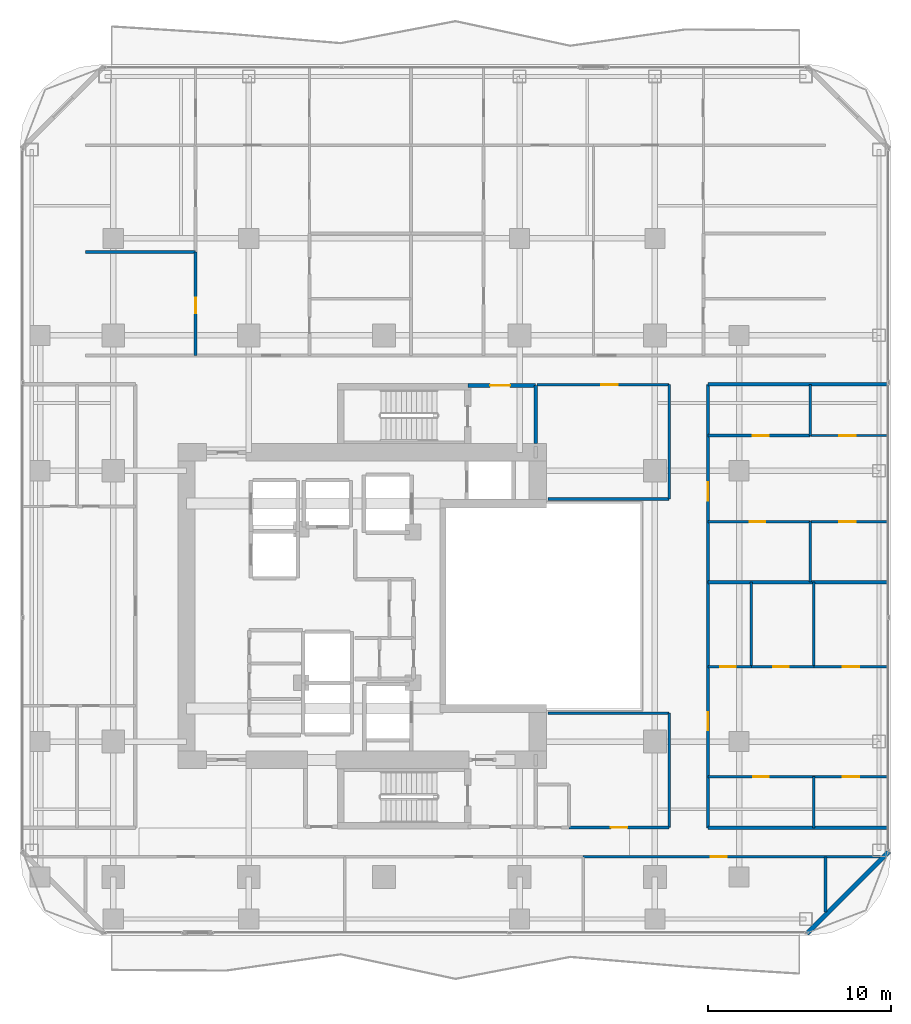
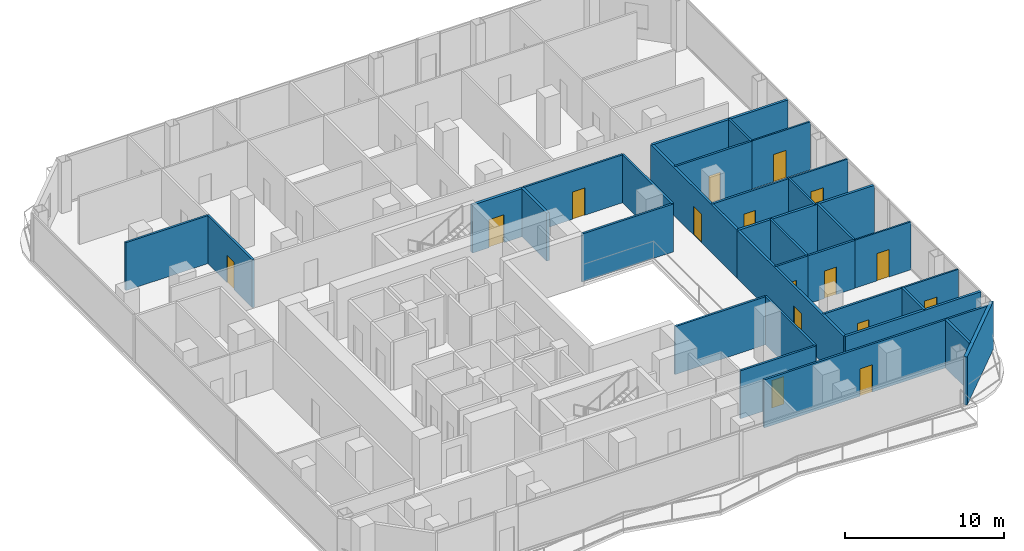
# One storey, part 22 of 27: 32 walls, 16 doors, 16 openings.
"""IFC4 building model written with IfcOpenShell, lengths in metres."""

import ifcopenshell
import ifcopenshell.guid

model = None  # the IFC model being written
_history = None  # IfcOwnerHistory: only IFC2X3 demands one
_inside = {}  # id of a spatial element -> (the spatial element, [elements in it])
_under = {}  # id of a project, library or spatial element -> (it, [spatial elements below it])
_declared = {}  # id of a project -> (the project, [libraries it declares])
_typed = {}  # id of a type object -> (the type object, [elements of that type])
_made_of = {}  # id of a material, layer set ... -> (it, [elements and type objects made of it])


def new_model(schema):
    """Start an empty IFC model of exactly this schema.

    Asked for "IFC4X3", IfcOpenShell would pick the latest addendum, in which some entities
    have other attributes; the version numbers below select the first issue.
    IFC2X3 requires an IfcOwnerHistory on every rooted entity: one is made here for all.
    """
    global model, _history
    if schema == "IFC4X3":
        model = ifcopenshell.file(schema_version=(4, 3, 0, 0))
    else:
        model = ifcopenshell.file(schema=schema)
    _inside.clear()
    _under.clear()
    _declared.clear()
    _typed.clear()
    _made_of.clear()
    _history = None
    if model.schema == "IFC2X3":
        org = make("IfcOrganization", Name="unknown")
        user = make(
            "IfcPersonAndOrganization",
            ThePerson=make("IfcPerson", FamilyName="unknown"),
            TheOrganization=org,
        )
        app = make(
            "IfcApplication",
            ApplicationDeveloper=org,
            Version="unknown",
            ApplicationFullName="unknown",
            ApplicationIdentifier="unknown",
        )
        _history = make(
            "IfcOwnerHistory",
            OwningUser=user,
            OwningApplication=app,
            ChangeAction="ADDED",
            CreationDate=0,
        )
    return model


def make(cls, **values):
    """One entity of the class cls with the attributes given. An attribute that is None is left unset."""
    return model.create_entity(
        cls, **{name: value for name, value in values.items() if value is not None}
    )


def rooted(cls, **values):
    """An entity with a GlobalId (a new one), such as an element, a storey or a relation."""
    return make(cls, GlobalId=ifcopenshell.guid.new(), OwnerHistory=_history, **values)


def si_unit(unit_type, name, prefix=None):
    """IfcSIUnit, for example si_unit("LENGTHUNIT", "METRE", prefix="MILLI")."""
    return make("IfcSIUnit", UnitType=unit_type, Prefix=prefix, Name=name)


def assignment(units):
    """IfcUnitAssignment: the units of a project."""
    return None if units is None else make("IfcUnitAssignment", Units=units)


def point(xyz):
    """IfcCartesianPoint."""
    return None if xyz is None else make("IfcCartesianPoint", Coordinates=xyz)


def direction(xyz):
    """IfcDirection."""
    return None if xyz is None else make("IfcDirection", DirectionRatios=xyz)


def frame(location, z_axis=None, x_axis=None):
    """IfcAxis2Placement3D, a coordinate frame: its origin and axes. An axis left out is left unset."""
    return make(
        "IfcAxis2Placement3D",
        Location=point(location),
        Axis=direction(z_axis),
        RefDirection=direction(x_axis),
    )


def frame_2d(location, x_axis=None):
    """IfcAxis2Placement2D, a coordinate frame in the plane: its origin and x axis."""
    return make(
        "IfcAxis2Placement2D", Location=point(location), RefDirection=direction(x_axis)
    )


def origin():
    """The frame at (0, 0, 0) with its axes left unset."""
    return frame((0.0, 0.0, 0.0))


def place(relative_to, where):
    """IfcLocalPlacement: puts the frame where relative to a parent placement (None: the world)."""
    return make(
        "IfcLocalPlacement", PlacementRelTo=relative_to, RelativePlacement=where
    )


def context(
    kind, dimensions, precision=None, world=None, true_north=None, identifier=None
):
    """IfcGeometricRepresentationContext, for example the 3D "Model" context."""
    return make(
        "IfcGeometricRepresentationContext",
        ContextIdentifier=identifier,
        ContextType=kind,
        CoordinateSpaceDimension=dimensions,
        Precision=precision,
        WorldCoordinateSystem=world,
        TrueNorth=true_north,
    )


def subcontext(parent, identifier, kind, view, scale=None):
    """IfcGeometricRepresentationSubContext, for example "Body" below "Model"."""
    return make(
        "IfcGeometricRepresentationSubContext",
        ContextIdentifier=identifier,
        ContextType=kind,
        ParentContext=parent,
        TargetScale=scale,
        TargetView=view,
    )


def project(units=None, contexts=None):
    """IfcProject with its units and contexts."""
    return rooted(
        "IfcProject",
        Name="project",
        RepresentationContexts=contexts,
        UnitsInContext=assignment(units),
    )


def spatial(cls, under=None, at=None, **own):
    """A site, building, storey or space (cls), placed at a placement, below another one or the project."""
    s = rooted(cls, ObjectPlacement=at, **own)
    if under is not None:
        _under.setdefault(under.id(), (under, []))[1].append(s)
    return s


def profile(cls, at=None, kind="AREA", **sizes):
    """A parametric profile (cls). Its sizes go by their IFC names, for example OverallWidth=200.0."""
    return make(cls, ProfileType=kind, Position=at, **sizes)


def rectangle(**sizes):
    """IfcRectangleProfileDef."""
    return profile("IfcRectangleProfileDef", **sizes)


def extrude(swept, where, along, depth):
    """IfcExtrudedAreaSolid: the profile swept, set in the frame where, extruded along a direction by depth."""
    return make(
        "IfcExtrudedAreaSolid",
        SweptArea=swept,
        Position=where,
        ExtrudedDirection=direction(along),
        Depth=depth,
    )


def shape(context_of_items, identifier, shape_type, items):
    """IfcShapeRepresentation: the items that make up one representation, for example the "Body"."""
    return make(
        "IfcShapeRepresentation",
        ContextOfItems=context_of_items,
        RepresentationIdentifier=identifier,
        RepresentationType=shape_type,
        Items=items,
    )


def material(Name=None, Category=None):
    """IfcMaterial."""
    return make("IfcMaterial", Name=Name, Category=Category)


def layer(
    of_material, thickness, ventilated=None, Name=None, Category=None, Priority=None
):
    """IfcMaterialLayer: one layer of a wall or slab, of a material (None: an air gap)."""
    return make(
        "IfcMaterialLayer",
        Material=of_material,
        LayerThickness=thickness,
        IsVentilated=ventilated,
        Name=Name,
        Category=Category,
        Priority=Priority,
    )


def layer_set(layers, Name=None):
    """IfcMaterialLayerSet."""
    return make("IfcMaterialLayerSet", MaterialLayers=layers, LayerSetName=Name)


def made_of(thing, what):
    """Note that an element or type object is made of a material, layer set ...; save() writes the relation."""
    if what is not None:
        _made_of.setdefault(what.id(), (what, []))[1].append(thing)
    return thing


def type_object(cls, material=None, **own):
    """A type object (cls), such as IfcWallType, which elements share."""
    return made_of(rooted(cls, **own), material)


def element(
    cls,
    number,
    at=None,
    inside=None,
    cuts=None,
    type_object=None,
    material=None,
    context=None,
    identifier="Body",
    shape_type=None,
    held_by="IfcProductDefinitionShape",
    body=None,
    shapes=None,
    **own,
):
    """One element of the class cls, such as IfcWall. Its Tag is "e" and its number.

    at: its placement. inside: the storey or other place that contains it. cuts: it is an
    opening in that element (IfcRelVoidsElement). A single representation is given by context,
    identifier, shape_type and body (its items); several are given by shapes. held_by: the class
    of the entity that holds the representations. save() writes the other relations.
    """
    e = rooted(cls, Tag="e%d" % number, ObjectPlacement=at, **own)
    if body is not None:
        shapes = [shape(context, identifier, shape_type, body)]
    if shapes is not None:
        e.Representation = make(held_by, Representations=shapes)
    if inside is not None:
        _inside.setdefault(inside.id(), (inside, []))[1].append(e)
    if cuts is not None:
        rooted(
            "IfcRelVoidsElement", RelatingBuildingElement=cuts, RelatedOpeningElement=e
        )
    if type_object is not None:
        _typed.setdefault(type_object.id(), (type_object, []))[1].append(e)
    return made_of(e, material)


def fill(opening, filler):
    """IfcRelFillsElement: the door or window that sits in an opening."""
    return rooted(
        "IfcRelFillsElement",
        RelatingOpeningElement=opening,
        RelatedBuildingElement=filler,
    )


def aggregate(whole, parts):
    """IfcRelAggregates: a whole, such as a stair, and the parts it consists of."""
    return rooted("IfcRelAggregates", RelatingObject=whole, RelatedObjects=parts)


def save(model, path):
    """Write the relations noted so far, then the file.

    IfcRelAggregates (storeys below a building ...), IfcRelContainedInSpatialStructure (elements
    in a storey), IfcRelDefinesByType, IfcRelAssociatesMaterial and IfcRelDeclares: one each for
    every whole, place, type object, material and project.
    """
    for whole, parts in _under.values():
        aggregate(whole, parts)
    for where, things in _inside.values():
        rooted(
            "IfcRelContainedInSpatialStructure",
            RelatedElements=things,
            RelatingStructure=where,
        )
    for kind, things in _typed.values():
        rooted("IfcRelDefinesByType", RelatedObjects=things, RelatingType=kind)
    for what, things in _made_of.values():
        rooted("IfcRelAssociatesMaterial", RelatedObjects=things, RelatingMaterial=what)
    for by, libraries in _declared.values():
        rooted("IfcRelDeclares", RelatingContext=by, RelatedDefinitions=libraries)
    model.write(path)


model = new_model("IFC4")

# Units and contexts
model_context = context("Model", 3, precision=1e-05, world=origin(), true_north=direction((0.0, 1.0)))
body_context = subcontext(model_context, "Body", "Model", "MODEL_VIEW")
ifc_project = project(units=[si_unit("LENGTHUNIT", "METRE"), si_unit("AREAUNIT", "SQUARE_METRE"), si_unit("VOLUMEUNIT", "CUBIC_METRE"), si_unit("PLANEANGLEUNIT", "RADIAN"), si_unit("MASSUNIT", "GRAM", prefix="KILO")], contexts=[model_context])

# Site, building, storey
site_placement = place(None, origin())
site = spatial("IfcSite", under=ifc_project, at=site_placement, CompositionType="ELEMENT")
building_placement = place(site_placement, origin())
building = spatial("IfcBuilding", under=site, at=building_placement, Name="Khorvyn Point Tower", CompositionType="ELEMENT")
storey_placement = place(building_placement, frame((0.0, 0.0, 125.10009765625)))
storey = spatial("IfcBuildingStorey", under=building, at=storey_placement, Name="L31", CompositionType="ELEMENT", Elevation=125.10009765625)

# Wall, opening, door
ifc_material_1 = material(Name="Double acoustic gypsum on twin steel stud", Category="steel")
ifc_layer_1 = layer(ifc_material_1, 0.179931640625)
ifc_layer_set_1 = layer_set([ifc_layer_1], Name="Acoustic Double-Stud Apartment Demising Wall 180")
wall_type_1 = type_object("IfcWallType", Name="Acoustic Double-Stud Apartment Demising Wall 180", PredefinedType="PARTITIONING", material=ifc_layer_set_1)
wall_1_placement = place(storey_placement, frame((17.699951171875, -12.1201171875, 0.0), z_axis=(0.0, 0.0, 1.0), x_axis=(0.0, 1.0, 0.0)))
wall_1 = element("IfcWall", 1, at=wall_1_placement, inside=storey, type_object=wall_type_1, Name="Wall", PredefinedType="PARTITIONING", context=body_context, shape_type="SweptSolid", body=[
    extrude(rectangle(XDim=13.42919921875, YDim=0.179931640625, at=frame_2d((6.714599609375, 0.0))), origin(), (0.0, 0.0, 1.0), 3.679931640625),
])
opening_1_placement = place(wall_1_placement, frame((5.32421875, 0.0, 0.0)))
opening_1 = element("IfcOpeningElement", 2, at=opening_1_placement, cuts=wall_1, Name="Opening ID-AP60", PredefinedType="OPENING", context=body_context, shape_type="SweptSolid", body=[
    extrude(rectangle(XDim=1.0, YDim=2.199951171875, at=frame_2d((0.5, 1.10009765625))), frame((0.0, 0.099853515625, 0.0), z_axis=(0.0, -1.0, 0.0), x_axis=(1.0, 0.0, 0.0)), (0.0, 0.0, 1.0), 0.199951171875),
])
ifc_material_2 = material(Name="Engineered hardwood fire-rated leaf", Category="wood")
door_type_1 = type_object("IfcDoorType", Name="Acoustic Solid-Core Timber Apartment Entrance Door 1000x2200", OperationType="NOTDEFINED", PredefinedType="DOOR", material=ifc_material_2)
door_1_placement = place(opening_1_placement, origin())
door_1 = element("IfcDoor", 3, at=door_1_placement, inside=storey, type_object=door_type_1, Name="Door", OperationType="SINGLE_SWING_LEFT", OverallHeight=2.199951171875, OverallWidth=1.0, PredefinedType="DOOR", context=body_context, shape_type="SweptSolid", body=[
    extrude(rectangle(XDim=1.0, YDim=2.199951171875, at=frame_2d((0.5, 1.10009765625))), frame((0.0, 0.02490234375, 0.0), z_axis=(0.0, -1.0, 0.0), x_axis=(1.0, 0.0, 0.0)), (0.0, 0.0, 1.0), 0.050048828125),
])
fill(opening_1, door_1)

wall_2_placement = place(storey_placement, frame((17.699951171875, 1.30908203125, 0.0), z_axis=(0.0, 0.0, 1.0), x_axis=(0.0, 1.0, 0.0)))
wall_2 = element("IfcWall", 4, at=wall_2_placement, inside=storey, type_object=wall_type_1, Name="Wall", PredefinedType="PARTITIONING", context=body_context, shape_type="SweptSolid", body=[
    extrude(rectangle(XDim=10.81103515625, YDim=0.179931640625, at=frame_2d((5.405517578125, 0.0))), origin(), (0.0, 0.0, 1.0), 3.679931640625),
])
opening_2_placement = place(wall_2_placement, frame((4.457763671875, 0.0, 0.0)))
opening_2 = element("IfcOpeningElement", 5, at=opening_2_placement, cuts=wall_2, Name="Opening ID-AP60", PredefinedType="OPENING", context=body_context, shape_type="SweptSolid", body=[
    extrude(rectangle(XDim=1.0, YDim=2.199951171875, at=frame_2d((0.5, 1.10009765625))), frame((0.0, 0.099853515625, 0.0), z_axis=(0.0, -1.0, 0.0), x_axis=(1.0, 0.0, 0.0)), (0.0, 0.0, 1.0), 0.199951171875),
])
door_2_placement = place(opening_2_placement, origin())
door_2 = element("IfcDoor", 6, at=door_2_placement, inside=storey, type_object=door_type_1, Name="Door", OperationType="SINGLE_SWING_LEFT", OverallHeight=2.199951171875, OverallWidth=1.0, PredefinedType="DOOR", context=body_context, shape_type="SweptSolid", body=[
    extrude(rectangle(XDim=1.0, YDim=2.199951171875, at=frame_2d((0.5, 1.10009765625))), frame((0.0, 0.02490234375, 0.0), z_axis=(0.0, -1.0, 0.0), x_axis=(1.0, 0.0, 0.0)), (0.0, 0.0, 1.0), 0.050048828125),
])
fill(opening_2, door_2)

# Walls
wall_3_placement = place(storey_placement, frame((24.1201171875, -16.7099609375, 0.0), z_axis=(0.0, 0.0, 1.0), x_axis=(0.0, 1.0, 0.0)))
element("IfcWall", 7, at=wall_3_placement, inside=storey, type_object=wall_type_1, Name="Wall", PredefinedType="PARTITIONING", context=body_context, shape_type="SweptSolid", body=[
    extrude(rectangle(XDim=3.010009765625, YDim=0.179931640625, at=frame_2d((1.5048828125, 0.0))), origin(), (0.0, 0.0, 1.0), 3.679931640625),
])
for number, where, z_axis, x_axis, name in (
    (8, (17.699951171875, 1.30908203125, 0.0), (0.0, 0.0, 1.0), (1.0, 0.0, 0.0), "Wall"),
    (9, (17.699951171875, -12.1201171875, 0.0), (0.0, 0.0, 1.0), (1.0, 0.0, 0.0), "Wall"),
    (10, (17.699951171875, 12.1201171875, 0.0), (0.0, 0.0, 1.0), (1.0, 0.0, 0.0), "Wall"),
):
    element("IfcWall", number, at=place(storey_placement, frame(where, z_axis=z_axis, x_axis=x_axis)), inside=storey, type_object=wall_type_1, Name=name, PredefinedType="PARTITIONING", context=body_context, shape_type="SweptSolid", body=[
        extrude(rectangle(XDim=9.830078125, YDim=0.179931640625, at=frame_2d((4.9150390625, 0.0))), origin(), (0.0, 0.0, 1.0), 3.679931640625),
    ])
ifc_material_3 = material(Name="Pale anodised aluminium rainscreen on steel stud", Category="steel")
ifc_layer_2 = layer(ifc_material_3, 0.239990234375)
ifc_layer_set_2 = layer_set([ifc_layer_2], Name="Anodised Aluminium Insulated Corner Spandrel Wall 240")
wall_type_2 = type_object("IfcWallType", Name="Anodised Aluminium Insulated Corner Spandrel Wall 240", PredefinedType="SOLIDWALL", material=ifc_layer_set_2)
wall_4_placement = place(storey_placement, frame((27.59228515625, -13.40771484375, 0.0), z_axis=(0.0, 0.0, 1.0), x_axis=(-0.707106781187, -0.707106781187, 0.0)))
element("IfcWall", 11, at=wall_4_placement, inside=storey, type_object=wall_type_2, Name="L31 Rounded Corner Wall SE", PredefinedType="SOLIDWALL", context=body_context, shape_type="SweptSolid", body=[
    extrude(rectangle(XDim=6.34228515625, YDim=0.239990234375, at=frame_2d((3.171142578125, 0.0))), origin(), (0.0, 0.0, 1.0), 3.679931640625),
])

# Wall, opening, door
ifc_material_4 = material(Name="Concrete C40/50", Category="concrete")
ifc_layer_3 = layer(ifc_material_4, 0.199951171875)
ifc_layer_set_3 = layer_set([ifc_layer_3], Name="Concrete C40/50 Fire-Lobby Compartment Wall 200")
wall_type_3 = type_object("IfcWallType", Name="Concrete C40/50 Fire-Lobby Compartment Wall 200", PredefinedType="SOLIDWALL", material=ifc_layer_set_3)
wall_5_placement = place(storey_placement, frame((4.580078125, 12.06005859375, 0.0), z_axis=(0.0, 0.0, 1.0), x_axis=(1.0, 0.0, 0.0)))
wall_5 = element("IfcWall", 12, at=wall_5_placement, inside=storey, type_object=wall_type_3, Name="Wall", PredefinedType="SOLIDWALL", context=body_context, shape_type="SweptSolid", body=[
    extrude(rectangle(XDim=3.699951171875, YDim=0.199951171875, at=frame_2d((1.85009765625, 0.0))), origin(), (0.0, 0.0, 1.0), 3.679931640625),
])
opening_3_placement = place(wall_5_placement, frame((1.21240234375, 0.0, 0.0)))
opening_3 = element("IfcOpeningElement", 13, at=opening_3_placement, cuts=wall_5, Name="Opening ID-FL90", PredefinedType="OPENING", context=body_context, shape_type="SweptSolid", body=[
    extrude(rectangle(XDim=1.10009765625, YDim=2.14990234375, at=frame_2d((0.550048828125, 1.074951171875))), frame((0.0, 0.10986328125, 0.0), z_axis=(0.0, -1.0, 0.0), x_axis=(1.0, 0.0, 0.0)), (0.0, 0.0, 1.0), 0.219970703125),
])
ifc_material_5 = material(Name="Galvanised powder-coated steel", Category="steel")
door_type_2 = type_object("IfcDoorType", Name="Fire-Rated Steel Lobby and Stair Door 1100x2150", OperationType="NOTDEFINED", PredefinedType="DOOR", material=ifc_material_5)
door_3_placement = place(opening_3_placement, origin())
door_3 = element("IfcDoor", 14, at=door_3_placement, inside=storey, type_object=door_type_2, Name="Door", OperationType="SINGLE_SWING_LEFT", OverallHeight=2.14990234375, OverallWidth=1.10009765625, PredefinedType="DOOR", context=body_context, shape_type="SweptSolid", body=[
    extrude(rectangle(XDim=1.10009765625, YDim=2.14990234375, at=frame_2d((0.550048828125, 1.074951171875))), frame((0.0, 0.02490234375, 0.0), z_axis=(0.0, -1.0, 0.0), x_axis=(1.0, 0.0, 0.0)), (0.0, 0.0, 1.0), 0.050048828125),
])
fill(opening_3, door_3)

# Wall
wall_6_placement = place(storey_placement, frame((8.280029296875, 8.875, 0.0), z_axis=(0.0, 0.0, 1.0), x_axis=(0.0, 1.0, 0.0)))
element("IfcWall", 15, at=wall_6_placement, inside=storey, type_object=wall_type_3, Name="Wall", PredefinedType="SOLIDWALL", context=body_context, shape_type="SweptSolid", body=[
    extrude(rectangle(XDim=3.18505859375, YDim=0.199951171875, at=frame_2d((1.592529296875, 0.0))), origin(), (0.0, 0.0, 1.0), 3.679931640625),
])

# Wall, opening, door
ifc_material_6 = material(Name="Gypsum plasterboard on steel stud", Category="steel")
ifc_layer_4 = layer(ifc_material_6, 0.1201171875)
ifc_layer_set_4 = layer_set([ifc_layer_4], Name="Gypsum Acoustic Stud Room Partition Wall 120")
wall_type_4 = type_object("IfcWallType", Name="Gypsum Acoustic Stud Room Partition Wall 120", PredefinedType="PARTITIONING", material=ifc_layer_set_4)
wall_7_placement = place(storey_placement, frame((23.486083984375, -9.320068359375, 0.0), z_axis=(0.0, 0.0, 1.0), x_axis=(1.0, 0.0, 0.0)))
wall_7 = element("IfcWall", 16, at=wall_7_placement, inside=storey, type_object=wall_type_4, Name="Wall", PredefinedType="PARTITIONING", context=body_context, shape_type="SweptSolid", body=[
    extrude(rectangle(XDim=4.0439453125, YDim=0.1201171875, at=frame_2d((2.02197265625, 0.0))), origin(), (0.0, 0.0, 1.0), 3.679931640625),
])
opening_4_placement = place(wall_7_placement, frame((1.572021484375, 0.0, 0.0)))
opening_4 = element("IfcOpeningElement", 17, at=opening_4_placement, cuts=wall_7, Name="Opening ID-RM90", PredefinedType="OPENING", context=body_context, shape_type="SweptSolid", body=[
    extrude(rectangle(XDim=0.89990234375, YDim=2.10009765625, at=frame_2d((0.449951171875, 1.050048828125))), frame((0.0, 0.070068359375, 0.0), z_axis=(0.0, -1.0, 0.0), x_axis=(1.0, 0.0, 0.0)), (0.0, 0.0, 1.0), 0.14013671875),
])
ifc_material_7 = material(Name="Engineered oak veneer timber", Category="wood")
door_type_3 = type_object("IfcDoorType", Name="Flush Engineered Timber Room Door 900x2100", OperationType="NOTDEFINED", PredefinedType="DOOR", material=ifc_material_7)
door_4_placement = place(opening_4_placement, origin())
door_4 = element("IfcDoor", 18, at=door_4_placement, inside=storey, type_object=door_type_3, Name="Door", OperationType="SINGLE_SWING_LEFT", OverallHeight=2.10009765625, OverallWidth=0.89990234375, PredefinedType="DOOR", context=body_context, shape_type="SweptSolid", body=[
    extrude(rectangle(XDim=0.89990234375, YDim=2.10009765625, at=frame_2d((0.449951171875, 1.050048828125))), frame((0.0, 0.02490234375, 0.0), z_axis=(0.0, -1.0, 0.0), x_axis=(1.0, 0.0, 0.0)), (0.0, 0.0, 1.0), 0.050048828125),
])
fill(opening_4, door_4)

wall_8_placement = place(storey_placement, frame((23.486083984375, -3.31689453125, 0.0), z_axis=(0.0, 0.0, 1.0), x_axis=(1.0, 0.0, 0.0)))
wall_8 = element("IfcWall", 19, at=wall_8_placement, inside=storey, type_object=wall_type_4, Name="Wall", PredefinedType="PARTITIONING", context=body_context, shape_type="SweptSolid", body=[
    extrude(rectangle(XDim=4.0439453125, YDim=0.1201171875, at=frame_2d((2.02197265625, 0.0))), origin(), (0.0, 0.0, 1.0), 3.679931640625),
])
opening_5_placement = place(wall_8_placement, frame((1.572021484375, 0.0, 0.0)))
opening_5 = element("IfcOpeningElement", 20, at=opening_5_placement, cuts=wall_8, Name="Opening ID-RM90", PredefinedType="OPENING", context=body_context, shape_type="SweptSolid", body=[
    extrude(rectangle(XDim=0.89990234375, YDim=2.10009765625, at=frame_2d((0.449951171875, 1.050048828125))), frame((0.0, 0.070068359375, 0.0), z_axis=(0.0, -1.0, 0.0), x_axis=(1.0, 0.0, 0.0)), (0.0, 0.0, 1.0), 0.14013671875),
])
door_5_placement = place(opening_5_placement, origin())
door_5 = element("IfcDoor", 21, at=door_5_placement, inside=storey, type_object=door_type_3, Name="Door", OperationType="SINGLE_SWING_RIGHT", OverallHeight=2.10009765625, OverallWidth=0.89990234375, PredefinedType="DOOR", context=body_context, shape_type="SweptSolid", body=[
    extrude(rectangle(XDim=0.89990234375, YDim=2.10009765625, at=frame_2d((0.449951171875, 1.050048828125))), frame((0.0, 0.02490234375, 0.0), z_axis=(0.0, -1.0, 0.0), x_axis=(1.0, 0.0, 0.0)), (0.0, 0.0, 1.0), 0.050048828125),
])
fill(opening_5, door_5)

wall_9_placement = place(storey_placement, frame((23.2900390625, 4.612060546875, 0.0), z_axis=(0.0, 0.0, 1.0), x_axis=(1.0, 0.0, 0.0)))
wall_9 = element("IfcWall", 22, at=wall_9_placement, inside=storey, type_object=wall_type_4, Name="Wall", PredefinedType="PARTITIONING", context=body_context, shape_type="SweptSolid", body=[
    extrude(rectangle(XDim=4.239990234375, YDim=0.1201171875, at=frame_2d((2.1201171875, 0.0))), origin(), (0.0, 0.0, 1.0), 3.679931640625),
])
opening_6_placement = place(wall_9_placement, frame((1.581298828125, 0.0, 0.0)))
opening_6 = element("IfcOpeningElement", 23, at=opening_6_placement, cuts=wall_9, Name="Opening ID-RM90", PredefinedType="OPENING", context=body_context, shape_type="SweptSolid", body=[
    extrude(rectangle(XDim=0.89990234375, YDim=2.10009765625, at=frame_2d((0.449951171875, 1.050048828125))), frame((0.0, 0.070068359375, 0.0), z_axis=(0.0, -1.0, 0.0), x_axis=(1.0, 0.0, 0.0)), (0.0, 0.0, 1.0), 0.14013671875),
])
door_6_placement = place(opening_6_placement, origin())
door_6 = element("IfcDoor", 24, at=door_6_placement, inside=storey, type_object=door_type_3, Name="Door", OperationType="SINGLE_SWING_RIGHT", OverallHeight=2.10009765625, OverallWidth=0.89990234375, PredefinedType="DOOR", context=body_context, shape_type="SweptSolid", body=[
    extrude(rectangle(XDim=0.89990234375, YDim=2.10009765625, at=frame_2d((0.449951171875, 1.050048828125))), frame((0.0, 0.02490234375, 0.0), z_axis=(0.0, -1.0, 0.0), x_axis=(1.0, 0.0, 0.0)), (0.0, 0.0, 1.0), 0.050048828125),
])
fill(opening_6, door_6)

wall_10_placement = place(storey_placement, frame((23.2900390625, 9.320068359375, 0.0), z_axis=(0.0, 0.0, 1.0), x_axis=(1.0, 0.0, 0.0)))
wall_10 = element("IfcWall", 25, at=wall_10_placement, inside=storey, type_object=wall_type_4, Name="Wall", PredefinedType="PARTITIONING", context=body_context, shape_type="SweptSolid", body=[
    extrude(rectangle(XDim=4.239990234375, YDim=0.1201171875, at=frame_2d((2.1201171875, 0.0))), origin(), (0.0, 0.0, 1.0), 3.679931640625),
])
opening_7_placement = place(wall_10_placement, frame((1.581298828125, 0.0, 0.0)))
opening_7 = element("IfcOpeningElement", 26, at=opening_7_placement, cuts=wall_10, Name="Opening ID-RM90", PredefinedType="OPENING", context=body_context, shape_type="SweptSolid", body=[
    extrude(rectangle(XDim=0.89990234375, YDim=2.10009765625, at=frame_2d((0.449951171875, 1.050048828125))), frame((0.0, 0.070068359375, 0.0), z_axis=(0.0, -1.0, 0.0), x_axis=(1.0, 0.0, 0.0)), (0.0, 0.0, 1.0), 0.14013671875),
])
door_7_placement = place(opening_7_placement, origin())
door_7 = element("IfcDoor", 27, at=door_7_placement, inside=storey, type_object=door_type_3, Name="Door", OperationType="SINGLE_SWING_LEFT", OverallHeight=2.10009765625, OverallWidth=0.89990234375, PredefinedType="DOOR", context=body_context, shape_type="SweptSolid", body=[
    extrude(rectangle(XDim=0.89990234375, YDim=2.10009765625, at=frame_2d((0.449951171875, 1.050048828125))), frame((0.0, 0.02490234375, 0.0), z_axis=(0.0, -1.0, 0.0), x_axis=(1.0, 0.0, 0.0)), (0.0, 0.0, 1.0), 0.050048828125),
])
fill(opening_7, door_7)

ifc_material_8 = material(Name="Moisture-resistant gypsum and cement board", Category="gypsum")
ifc_layer_5 = layer(ifc_material_8, 0.14990234375)
ifc_layer_set_5 = layer_set([ifc_layer_5], Name="Moisture-Resistant Wet-Room Partition Wall 150")
wall_type_5 = type_object("IfcWallType", Name="Moisture-Resistant Wet-Room Partition Wall 150", PredefinedType="PARTITIONING", material=ifc_layer_set_5)
wall_11_placement = place(storey_placement, frame((10.10009765625, -12.10009765625, 0.0), z_axis=(0.0, 0.0, 1.0), x_axis=(1.0, 0.0, 0.0)))
wall_11 = element("IfcWall", 28, at=wall_11_placement, inside=storey, type_object=wall_type_5, Name="Wall", PredefinedType="PARTITIONING", context=body_context, shape_type="SweptSolid", body=[
    extrude(rectangle(XDim=5.47998046875, YDim=0.14990234375, at=frame_2d((2.739990234375, 0.0))), origin(), (0.0, 0.0, 1.0), 3.679931640625),
])
opening_8_placement = place(wall_11_placement, frame((2.2900390625, 0.0, 0.0)))
opening_8 = element("IfcOpeningElement", 29, at=opening_8_placement, cuts=wall_11, Name="Opening ID-RM90", PredefinedType="OPENING", context=body_context, shape_type="SweptSolid", body=[
    extrude(rectangle(XDim=0.89990234375, YDim=2.10009765625, at=frame_2d((0.449951171875, 1.050048828125))), frame((0.0, 0.0849609375, 0.0), z_axis=(0.0, -1.0, 0.0), x_axis=(1.0, 0.0, 0.0)), (0.0, 0.0, 1.0), 0.169921875),
])
door_8_placement = place(opening_8_placement, origin())
door_8 = element("IfcDoor", 30, at=door_8_placement, inside=storey, type_object=door_type_3, Name="Door", OperationType="SINGLE_SWING_LEFT", OverallHeight=2.10009765625, OverallWidth=0.89990234375, PredefinedType="DOOR", context=body_context, shape_type="SweptSolid", body=[
    extrude(rectangle(XDim=0.89990234375, YDim=2.10009765625, at=frame_2d((0.449951171875, 1.050048828125))), frame((0.0, 0.02490234375, 0.0), z_axis=(0.0, -1.0, 0.0), x_axis=(1.0, 0.0, 0.0)), (0.0, 0.0, 1.0), 0.050048828125),
])
fill(opening_8, door_8)

wall_12_placement = place(storey_placement, frame((8.360107421875, 12.10009765625, 0.0), z_axis=(0.0, 0.0, 1.0), x_axis=(1.0, 0.0, 0.0)))
wall_12 = element("IfcWall", 31, at=wall_12_placement, inside=storey, type_object=wall_type_5, Name="Wall", PredefinedType="PARTITIONING", context=body_context, shape_type="SweptSolid", body=[
    extrude(rectangle(XDim=7.219970703125, YDim=0.14990234375, at=frame_2d((3.60986328125, 0.0))), origin(), (0.0, 0.0, 1.0), 3.679931640625),
])
opening_9_placement = place(wall_12_placement, frame((3.512939453125, 0.0, 0.0)))
opening_9 = element("IfcOpeningElement", 32, at=opening_9_placement, cuts=wall_12, Name="Opening ID-RM90", PredefinedType="OPENING", context=body_context, shape_type="SweptSolid", body=[
    extrude(rectangle(XDim=0.89990234375, YDim=2.10009765625, at=frame_2d((0.449951171875, 1.050048828125))), frame((0.0, 0.0849609375, 0.0), z_axis=(0.0, -1.0, 0.0), x_axis=(1.0, 0.0, 0.0)), (0.0, 0.0, 1.0), 0.169921875),
])
door_9_placement = place(opening_9_placement, origin())
door_9 = element("IfcDoor", 33, at=door_9_placement, inside=storey, type_object=door_type_3, Name="Door", OperationType="SINGLE_SWING_RIGHT", OverallHeight=2.10009765625, OverallWidth=0.89990234375, PredefinedType="DOOR", context=body_context, shape_type="SweptSolid", body=[
    extrude(rectangle(XDim=0.89990234375, YDim=2.10009765625, at=frame_2d((0.449951171875, 1.050048828125))), frame((0.0, 0.02490234375, 0.0), z_axis=(0.0, -1.0, 0.0), x_axis=(1.0, 0.0, 0.0)), (0.0, 0.0, 1.0), 0.050048828125),
])
fill(opening_9, door_9)

wall_13_placement = place(storey_placement, frame((-10.305908203125, 13.699951171875, 0.0), z_axis=(0.0, 0.0, 1.0), x_axis=(0.0, 1.0, 0.0)))
wall_13 = element("IfcWall", 34, at=wall_13_placement, inside=storey, type_object=wall_type_5, Name="Wall", PredefinedType="PARTITIONING", context=body_context, shape_type="SweptSolid", body=[
    extrude(rectangle(XDim=5.653076171875, YDim=0.14990234375, at=frame_2d((2.82666015625, 0.0))), origin(), (0.0, 0.0, 1.0), 3.679931640625),
])
opening_10_placement = place(wall_13_placement, frame((2.311767578125, 0.0, 0.0)))
opening_10 = element("IfcOpeningElement", 35, at=opening_10_placement, cuts=wall_13, Name="Opening ID-WC85", PredefinedType="OPENING", context=body_context, shape_type="SweptSolid", body=[
    extrude(rectangle(XDim=0.85009765625, YDim=2.10009765625, at=frame_2d((0.425048828125, 1.050048828125))), frame((0.0, 0.0849609375, 0.0), z_axis=(0.0, -1.0, 0.0), x_axis=(1.0, 0.0, 0.0)), (0.0, 0.0, 1.0), 0.169921875),
])
ifc_material_9 = material(Name="High-pressure laminate on moisture-resistant core", Category="wood")
door_type_4 = type_object("IfcDoorType", Name="Moisture-Resistant Accessible Washroom Door 850x2100", OperationType="NOTDEFINED", PredefinedType="DOOR", material=ifc_material_9)
door_10_placement = place(opening_10_placement, origin())
door_10 = element("IfcDoor", 36, at=door_10_placement, inside=storey, type_object=door_type_4, Name="Door", OperationType="SINGLE_SWING_LEFT", OverallHeight=2.10009765625, OverallWidth=0.85009765625, PredefinedType="DOOR", context=body_context, shape_type="SweptSolid", body=[
    extrude(rectangle(XDim=0.85009765625, YDim=2.10009765625, at=frame_2d((0.425048828125, 1.050048828125))), frame((0.0, 0.02490234375, 0.0), z_axis=(0.0, -1.0, 0.0), x_axis=(1.0, 0.0, 0.0)), (0.0, 0.0, 1.0), 0.050048828125),
])
fill(opening_10, door_10)

wall_14_placement = place(storey_placement, frame((10.881103515625, -13.699951171875, 0.0), z_axis=(0.0, 0.0, 1.0), x_axis=(1.0, 0.0, 0.0)))
wall_14 = element("IfcWall", 37, at=wall_14_placement, inside=storey, type_object=wall_type_5, Name="Wall", PredefinedType="PARTITIONING", context=body_context, shape_type="SweptSolid", body=[
    extrude(rectangle(XDim=16.248779296875, YDim=0.14990234375, at=frame_2d((8.12451171875, 0.0))), origin(), (0.0, 0.0, 1.0), 3.679931640625),
])
opening_11_placement = place(wall_14_placement, frame((6.958740234375, 0.0, 0.0)))
opening_11 = element("IfcOpeningElement", 38, at=opening_11_placement, cuts=wall_14, Name="Opening ID-RM90", PredefinedType="OPENING", context=body_context, shape_type="SweptSolid", body=[
    extrude(rectangle(XDim=0.89990234375, YDim=2.10009765625, at=frame_2d((0.449951171875, 1.050048828125))), frame((0.0, 0.0849609375, 0.0), z_axis=(0.0, -1.0, 0.0), x_axis=(1.0, 0.0, 0.0)), (0.0, 0.0, 1.0), 0.169921875),
])
door_11_placement = place(opening_11_placement, origin())
door_11 = element("IfcDoor", 39, at=door_11_placement, inside=storey, type_object=door_type_3, Name="Door", OperationType="SINGLE_SWING_LEFT", OverallHeight=2.10009765625, OverallWidth=0.89990234375, PredefinedType="DOOR", context=body_context, shape_type="SweptSolid", body=[
    extrude(rectangle(XDim=0.89990234375, YDim=2.10009765625, at=frame_2d((0.449951171875, 1.050048828125))), frame((0.0, 0.02490234375, 0.0), z_axis=(0.0, -1.0, 0.0), x_axis=(1.0, 0.0, 0.0)), (0.0, 0.0, 1.0), 0.050048828125),
])
fill(opening_11, door_11)

wall_15_placement = place(storey_placement, frame((17.699951171875, -3.31689453125, 0.0), z_axis=(0.0, 0.0, 1.0), x_axis=(1.0, 0.0, 0.0)))
wall_15 = element("IfcWall", 40, at=wall_15_placement, inside=storey, type_object=wall_type_5, Name="Wall", PredefinedType="PARTITIONING", context=body_context, shape_type="SweptSolid", body=[
    extrude(rectangle(XDim=2.3720703125, YDim=0.14990234375, at=frame_2d((1.18603515625, 0.0))), origin(), (0.0, 0.0, 1.0), 3.679931640625),
])
opening_12_placement = place(wall_15_placement, frame((0.675048828125, 0.0, 0.0)))
opening_12 = element("IfcOpeningElement", 41, at=opening_12_placement, cuts=wall_15, Name="Opening ID-WC85", PredefinedType="OPENING", context=body_context, shape_type="SweptSolid", body=[
    extrude(rectangle(XDim=0.85009765625, YDim=2.10009765625, at=frame_2d((0.425048828125, 1.050048828125))), frame((0.0, 0.0849609375, 0.0), z_axis=(0.0, -1.0, 0.0), x_axis=(1.0, 0.0, 0.0)), (0.0, 0.0, 1.0), 0.169921875),
])
door_12_placement = place(opening_12_placement, origin())
door_12 = element("IfcDoor", 42, at=door_12_placement, inside=storey, type_object=door_type_4, Name="Door", OperationType="SINGLE_SWING_RIGHT", OverallHeight=2.10009765625, OverallWidth=0.85009765625, PredefinedType="DOOR", context=body_context, shape_type="SweptSolid", body=[
    extrude(rectangle(XDim=0.85009765625, YDim=2.10009765625, at=frame_2d((0.425048828125, 1.050048828125))), frame((0.0, 0.02490234375, 0.0), z_axis=(0.0, -1.0, 0.0), x_axis=(1.0, 0.0, 0.0)), (0.0, 0.0, 1.0), 0.050048828125),
])
fill(opening_12, door_12)

wall_16_placement = place(storey_placement, frame((20.072021484375, -3.31689453125, 0.0), z_axis=(0.0, 0.0, 1.0), x_axis=(1.0, 0.0, 0.0)))
wall_16 = element("IfcWall", 43, at=wall_16_placement, inside=storey, type_object=wall_type_5, Name="Wall", PredefinedType="PARTITIONING", context=body_context, shape_type="SweptSolid", body=[
    extrude(rectangle(XDim=3.4140625, YDim=0.14990234375, at=frame_2d((1.70703125, 0.0))), origin(), (0.0, 0.0, 1.0), 3.679931640625),
])
opening_13_placement = place(wall_16_placement, frame((1.19580078125, 0.0, 0.0)))
opening_13 = element("IfcOpeningElement", 44, at=opening_13_placement, cuts=wall_16, Name="Opening ID-WC85", PredefinedType="OPENING", context=body_context, shape_type="SweptSolid", body=[
    extrude(rectangle(XDim=0.85009765625, YDim=2.10009765625, at=frame_2d((0.425048828125, 1.050048828125))), frame((0.0, 0.0849609375, 0.0), z_axis=(0.0, -1.0, 0.0), x_axis=(1.0, 0.0, 0.0)), (0.0, 0.0, 1.0), 0.169921875),
])
door_13_placement = place(opening_13_placement, origin())
door_13 = element("IfcDoor", 45, at=door_13_placement, inside=storey, type_object=door_type_4, Name="Door", OperationType="SINGLE_SWING_LEFT", OverallHeight=2.10009765625, OverallWidth=0.85009765625, PredefinedType="DOOR", context=body_context, shape_type="SweptSolid", body=[
    extrude(rectangle(XDim=0.85009765625, YDim=2.10009765625, at=frame_2d((0.425048828125, 1.050048828125))), frame((0.0, 0.02490234375, 0.0), z_axis=(0.0, -1.0, 0.0), x_axis=(1.0, 0.0, 0.0)), (0.0, 0.0, 1.0), 0.050048828125),
])
fill(opening_13, door_13)

wall_17_placement = place(storey_placement, frame((17.699951171875, -9.320068359375, 0.0), z_axis=(0.0, 0.0, 1.0), x_axis=(1.0, 0.0, 0.0)))
wall_17 = element("IfcWall", 46, at=wall_17_placement, inside=storey, type_object=wall_type_5, Name="Wall", PredefinedType="PARTITIONING", context=body_context, shape_type="SweptSolid", body=[
    extrude(rectangle(XDim=5.7861328125, YDim=0.14990234375, at=frame_2d((2.89306640625, 0.0))), origin(), (0.0, 0.0, 1.0), 3.679931640625),
])
opening_14_placement = place(wall_17_placement, frame((2.468017578125, 0.0, 0.0)))
opening_14 = element("IfcOpeningElement", 47, at=opening_14_placement, cuts=wall_17, Name="Opening ID-WC85", PredefinedType="OPENING", context=body_context, shape_type="SweptSolid", body=[
    extrude(rectangle(XDim=0.85009765625, YDim=2.10009765625, at=frame_2d((0.425048828125, 1.050048828125))), frame((0.0, 0.0849609375, 0.0), z_axis=(0.0, -1.0, 0.0), x_axis=(1.0, 0.0, 0.0)), (0.0, 0.0, 1.0), 0.169921875),
])
door_14_placement = place(opening_14_placement, origin())
door_14 = element("IfcDoor", 48, at=door_14_placement, inside=storey, type_object=door_type_4, Name="Door", OperationType="SINGLE_SWING_RIGHT", OverallHeight=2.10009765625, OverallWidth=0.85009765625, PredefinedType="DOOR", context=body_context, shape_type="SweptSolid", body=[
    extrude(rectangle(XDim=0.85009765625, YDim=2.10009765625, at=frame_2d((0.425048828125, 1.050048828125))), frame((0.0, 0.02490234375, 0.0), z_axis=(0.0, -1.0, 0.0), x_axis=(1.0, 0.0, 0.0)), (0.0, 0.0, 1.0), 0.050048828125),
])
fill(opening_14, door_14)

wall_18_placement = place(storey_placement, frame((17.699951171875, 9.320068359375, 0.0), z_axis=(0.0, 0.0, 1.0), x_axis=(1.0, 0.0, 0.0)))
wall_18 = element("IfcWall", 49, at=wall_18_placement, inside=storey, type_object=wall_type_5, Name="Wall", PredefinedType="PARTITIONING", context=body_context, shape_type="SweptSolid", body=[
    extrude(rectangle(XDim=5.590087890625, YDim=0.14990234375, at=frame_2d((2.794921875, 0.0))), origin(), (0.0, 0.0, 1.0), 3.679931640625),
])
opening_15_placement = place(wall_18_placement, frame((2.45849609375, 0.0, 0.0)))
opening_15 = element("IfcOpeningElement", 50, at=opening_15_placement, cuts=wall_18, Name="Opening ID-WC85", PredefinedType="OPENING", context=body_context, shape_type="SweptSolid", body=[
    extrude(rectangle(XDim=0.85009765625, YDim=2.10009765625, at=frame_2d((0.425048828125, 1.050048828125))), frame((0.0, 0.0849609375, 0.0), z_axis=(0.0, -1.0, 0.0), x_axis=(1.0, 0.0, 0.0)), (0.0, 0.0, 1.0), 0.169921875),
])
door_15_placement = place(opening_15_placement, origin())
door_15 = element("IfcDoor", 51, at=door_15_placement, inside=storey, type_object=door_type_4, Name="Door", OperationType="SINGLE_SWING_RIGHT", OverallHeight=2.10009765625, OverallWidth=0.85009765625, PredefinedType="DOOR", context=body_context, shape_type="SweptSolid", body=[
    extrude(rectangle(XDim=0.85009765625, YDim=2.10009765625, at=frame_2d((0.425048828125, 1.050048828125))), frame((0.0, 0.02490234375, 0.0), z_axis=(0.0, -1.0, 0.0), x_axis=(1.0, 0.0, 0.0)), (0.0, 0.0, 1.0), 0.050048828125),
])
fill(opening_15, door_15)

wall_19_placement = place(storey_placement, frame((17.699951171875, 4.612060546875, 0.0), z_axis=(0.0, 0.0, 1.0), x_axis=(1.0, 0.0, 0.0)))
wall_19 = element("IfcWall", 52, at=wall_19_placement, inside=storey, type_object=wall_type_5, Name="Wall", PredefinedType="PARTITIONING", context=body_context, shape_type="SweptSolid", body=[
    extrude(rectangle(XDim=5.590087890625, YDim=0.14990234375, at=frame_2d((2.794921875, 0.0))), origin(), (0.0, 0.0, 1.0), 3.679931640625),
])
opening_16_placement = place(wall_19_placement, frame((2.281494140625, 0.0, 0.0)))
opening_16 = element("IfcOpeningElement", 53, at=opening_16_placement, cuts=wall_19, Name="Opening ID-WC85", PredefinedType="OPENING", context=body_context, shape_type="SweptSolid", body=[
    extrude(rectangle(XDim=0.85009765625, YDim=2.10009765625, at=frame_2d((0.425048828125, 1.050048828125))), frame((0.0, 0.0849609375, 0.0), z_axis=(0.0, -1.0, 0.0), x_axis=(1.0, 0.0, 0.0)), (0.0, 0.0, 1.0), 0.169921875),
])
door_16_placement = place(opening_16_placement, origin())
door_16 = element("IfcDoor", 54, at=door_16_placement, inside=storey, type_object=door_type_4, Name="Door", OperationType="SINGLE_SWING_LEFT", OverallHeight=2.10009765625, OverallWidth=0.85009765625, PredefinedType="DOOR", context=body_context, shape_type="SweptSolid", body=[
    extrude(rectangle(XDim=0.85009765625, YDim=2.10009765625, at=frame_2d((0.425048828125, 1.050048828125))), frame((0.0, 0.02490234375, 0.0), z_axis=(0.0, -1.0, 0.0), x_axis=(1.0, 0.0, 0.0)), (0.0, 0.0, 1.0), 0.050048828125),
])
fill(opening_16, door_16)

# Walls
wall_20_placement = place(storey_placement, frame((15.580078125, -12.10009765625, 0.0), z_axis=(0.0, 0.0, 1.0), x_axis=(0.0, 1.0, 0.0)))
element("IfcWall", 55, at=wall_20_placement, inside=storey, type_object=wall_type_5, Name="Wall", PredefinedType="PARTITIONING", context=body_context, shape_type="SweptSolid", body=[
    extrude(rectangle(XDim=6.25, YDim=0.14990234375, at=frame_2d((3.125, 0.0))), origin(), (0.0, 0.0, 1.0), 3.679931640625),
])
wall_21_placement = place(storey_placement, frame((8.9599609375, -5.85009765625, 0.0), z_axis=(0.0, 0.0, 1.0), x_axis=(1.0, 0.0, 0.0)))
element("IfcWall", 56, at=wall_21_placement, inside=storey, type_object=wall_type_5, Name="Wall", PredefinedType="PARTITIONING", context=body_context, shape_type="SweptSolid", body=[
    extrude(rectangle(XDim=6.6201171875, YDim=0.14990234375, at=frame_2d((3.31005859375, 0.0))), origin(), (0.0, 0.0, 1.0), 3.679931640625),
])
wall_22_placement = place(storey_placement, frame((15.580078125, 5.85009765625, 0.0), z_axis=(0.0, 0.0, 1.0), x_axis=(0.0, 1.0, 0.0)))
element("IfcWall", 57, at=wall_22_placement, inside=storey, type_object=wall_type_5, Name="Wall", PredefinedType="PARTITIONING", context=body_context, shape_type="SweptSolid", body=[
    extrude(rectangle(XDim=6.25, YDim=0.14990234375, at=frame_2d((3.125, 0.0))), origin(), (0.0, 0.0, 1.0), 3.679931640625),
])
wall_23_placement = place(storey_placement, frame((8.9599609375, 5.85009765625, 0.0), z_axis=(0.0, 0.0, 1.0), x_axis=(1.0, 0.0, 0.0)))
element("IfcWall", 58, at=wall_23_placement, inside=storey, type_object=wall_type_5, Name="Wall", PredefinedType="PARTITIONING", context=body_context, shape_type="SweptSolid", body=[
    extrude(rectangle(XDim=6.6201171875, YDim=0.14990234375, at=frame_2d((3.31005859375, 0.0))), origin(), (0.0, 0.0, 1.0), 3.679931640625),
])
wall_24_placement = place(storey_placement, frame((-16.320068359375, 19.35302734375, 0.0), z_axis=(0.0, 0.0, 1.0), x_axis=(1.0, 0.0, 0.0)))
element("IfcWall", 59, at=wall_24_placement, inside=storey, type_object=wall_type_5, Name="Wall", PredefinedType="PARTITIONING", context=body_context, shape_type="SweptSolid", body=[
    extrude(rectangle(XDim=6.01416015625, YDim=0.14990234375, at=frame_2d((3.007080078125, 0.0))), origin(), (0.0, 0.0, 1.0), 3.679931640625),
])
wall_25_placement = place(storey_placement, frame((20.072021484375, -3.31689453125, 0.0), z_axis=(0.0, 0.0, 1.0), x_axis=(0.0, 1.0, 0.0)))
element("IfcWall", 60, at=wall_25_placement, inside=storey, type_object=wall_type_5, Name="Wall", PredefinedType="PARTITIONING", context=body_context, shape_type="SweptSolid", body=[
    extrude(rectangle(XDim=4.6259765625, YDim=0.14990234375, at=frame_2d((2.31298828125, 0.0))), origin(), (0.0, 0.0, 1.0), 3.679931640625),
])
wall_26_placement = place(storey_placement, frame((23.486083984375, -12.1201171875, 0.0), z_axis=(0.0, 0.0, 1.0), x_axis=(0.0, 1.0, 0.0)))
element("IfcWall", 61, at=wall_26_placement, inside=storey, type_object=wall_type_5, Name="Wall", PredefinedType="PARTITIONING", context=body_context, shape_type="SweptSolid", body=[
    extrude(rectangle(XDim=2.800048828125, YDim=0.14990234375, at=frame_2d((1.39990234375, 0.0))), origin(), (0.0, 0.0, 1.0), 3.679931640625),
])
wall_27_placement = place(storey_placement, frame((23.486083984375, -3.31689453125, 0.0), z_axis=(0.0, 0.0, 1.0), x_axis=(0.0, 1.0, 0.0)))
element("IfcWall", 62, at=wall_27_placement, inside=storey, type_object=wall_type_5, Name="Wall", PredefinedType="PARTITIONING", context=body_context, shape_type="SweptSolid", body=[
    extrude(rectangle(XDim=4.6259765625, YDim=0.14990234375, at=frame_2d((2.31298828125, 0.0))), origin(), (0.0, 0.0, 1.0), 3.679931640625),
])
wall_28_placement = place(storey_placement, frame((23.2900390625, 1.30908203125, 0.0), z_axis=(0.0, 0.0, 1.0), x_axis=(0.0, 1.0, 0.0)))
element("IfcWall", 63, at=wall_28_placement, inside=storey, type_object=wall_type_5, Name="Wall", PredefinedType="PARTITIONING", context=body_context, shape_type="SweptSolid", body=[
    extrude(rectangle(XDim=3.302978515625, YDim=0.14990234375, at=frame_2d((1.6513671875, 0.0))), origin(), (0.0, 0.0, 1.0), 3.679931640625),
])
wall_29_placement = place(storey_placement, frame((23.2900390625, 9.320068359375, 0.0), z_axis=(0.0, 0.0, 1.0), x_axis=(0.0, 1.0, 0.0)))
element("IfcWall", 64, at=wall_29_placement, inside=storey, type_object=wall_type_5, Name="Wall", PredefinedType="PARTITIONING", context=body_context, shape_type="SweptSolid", body=[
    extrude(rectangle(XDim=2.800048828125, YDim=0.14990234375, at=frame_2d((1.39990234375, 0.0))), origin(), (0.0, 0.0, 1.0), 3.679931640625),
])

save(model, "model.ifc")
